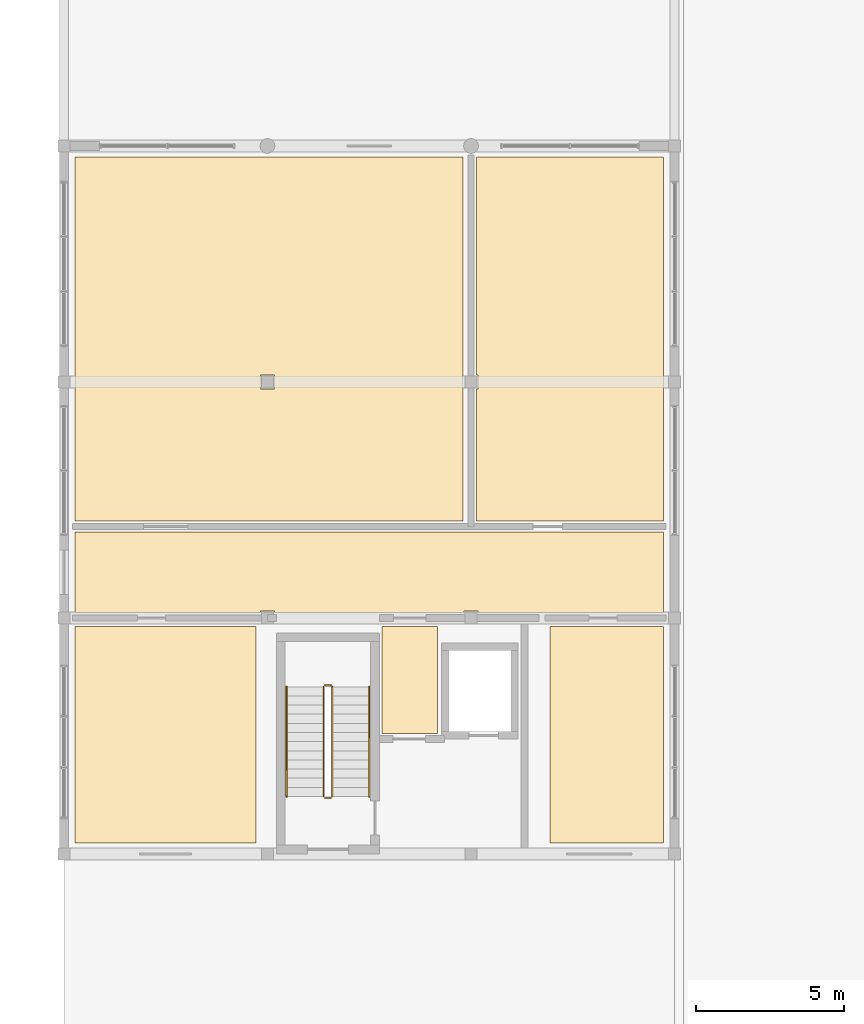
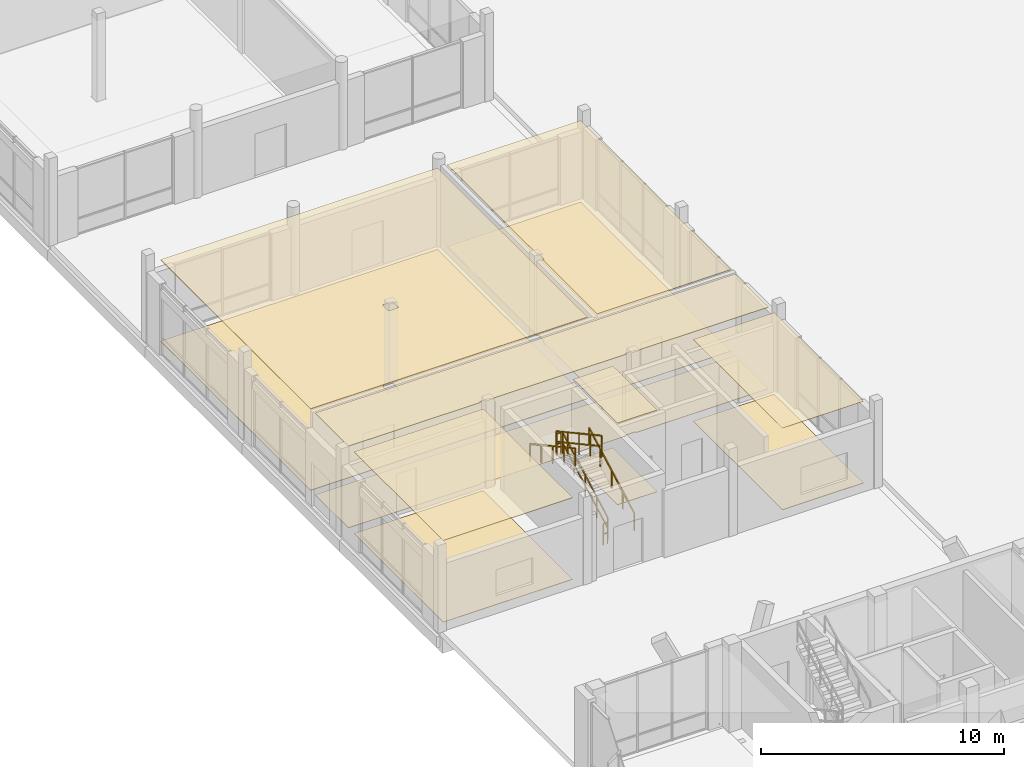
# One storey, part 212 of 233: 12 coverings, 6 railings.
"""IFC4 building model written with IfcOpenShell, lengths in metres."""

from ifc_helpers import new_model, si_unit, direction, frame, origin, origin_2d, place, context, subcontext, project, spatial, polyline, rectangle, outline, extrude, material, layer, layer_set, type_object, element, save


model = new_model("IFC4")

# Units and contexts
model_context = context("Model", 3, precision=1e-05, world=origin(), true_north=direction((0.0, 1.0)))
body_context = subcontext(model_context, "Body", "Model", "MODEL_VIEW")
ifc_project = project(units=[si_unit("LENGTHUNIT", "METRE"), si_unit("AREAUNIT", "SQUARE_METRE"), si_unit("VOLUMEUNIT", "CUBIC_METRE"), si_unit("PLANEANGLEUNIT", "RADIAN"), si_unit("MASSUNIT", "GRAM", prefix="KILO")], contexts=[model_context])

# Site, building, storey
site_placement = place(None, origin())
site = spatial("IfcSite", under=ifc_project, at=site_placement, CompositionType="ELEMENT")
building_placement = place(site_placement, origin())
building = spatial("IfcBuilding", under=site, at=building_placement, Name="Zavelmont Quarter", CompositionType="ELEMENT")
storey_placement = place(building_placement, origin())
storey = spatial("IfcBuildingStorey", under=building, at=storey_placement, Name="L00", CompositionType="ELEMENT", Elevation=0.0)

# Coverings
ifc_material_1 = material(Name="Perforated acoustic gypsum board")
ifc_layer_1 = layer(ifc_material_1, 0.02490234375)
ifc_layer_set_1 = layer_set([ifc_layer_1], Name="Perforated acoustic gypsum board")
covering_type_1 = type_object("IfcCoveringType", Name="CV-CL01", PredefinedType="CEILING", material=ifc_layer_set_1)
covering_1_placement = place(storey_placement, frame((0.0, 0.0, 4.094970703125)))
element("IfcCovering", 1, at=covering_1_placement, inside=storey, type_object=covering_type_1, Name="L00 Lobby Vestibule acoustic ceiling", PredefinedType="CEILING", context=body_context, shape_type="SweptSolid", body=[
    extrude(outline(polyline([(10.780029296875, 37.719970703125), (12.669921875, 37.719970703125), (12.669921875, 34.080078125), (10.780029296875, 34.080078125), (10.780029296875, 37.719970703125)])), origin(), (0.0, 0.0, 1.0), 0.025146484375),
])
covering_2_placement = place(storey_placement, frame((0.0, 0.0, 4.094970703125)))
element("IfcCovering", 2, at=covering_2_placement, inside=storey, type_object=covering_type_1, Name="L00 Shops Lobby Corridor acoustic ceiling", PredefinedType="CEILING", context=body_context, shape_type="SweptSolid", body=[
    extrude(outline(polyline([(0.3798828125, 40.919921875), (20.320068359375, 40.919921875), (20.320068359375, 38.179931640625), (14.0400390625, 38.179931640625), (14.0400390625, 38.239990234375), (13.56005859375, 38.239990234375), (13.56005859375, 38.179931640625), (7.139892578125, 38.179931640625), (7.139892578125, 38.239990234375), (6.659912109375, 38.239990234375), (6.659912109375, 38.179931640625), (0.3798828125, 38.179931640625), (0.3798828125, 40.919921875)])), origin(), (0.0, 0.0, 1.0), 0.025146484375),
])
covering_3_placement = place(storey_placement, frame((0.0, 0.0, 4.094970703125)))
element("IfcCovering", 3, at=covering_3_placement, inside=storey, type_object=covering_type_1, Name="L00 Neighbourhood Pharmacy acoustic ceiling", PredefinedType="CEILING", context=body_context, shape_type="SweptSolid", body=[
    extrude(outline(polyline([(13.97998046875, 45.760009765625), (14.0400390625, 45.760009765625), (14.0400390625, 46.239990234375), (13.97998046875, 46.239990234375), (13.97998046875, 53.6201171875), (20.320068359375, 53.6201171875), (20.320068359375, 41.280029296875), (13.97998046875, 41.280029296875), (13.97998046875, 45.760009765625)])), origin(), (0.0, 0.0, 1.0), 0.025146484375),
])
covering_4_placement = place(storey_placement, frame((0.0, 0.0, 4.094970703125)))
element("IfcCovering", 4, at=covering_4_placement, inside=storey, type_object=covering_type_1, Name="L00 Bakery Shop acoustic ceiling", PredefinedType="CEILING", context=body_context, shape_type="SweptSolid", body=[
    extrude(outline(polyline([(0.3798828125, 37.719970703125), (6.52001953125, 37.719970703125), (6.52001953125, 30.3798828125), (0.3798828125, 30.3798828125), (0.3798828125, 37.719970703125)])), origin(), (0.0, 0.0, 1.0), 0.025146484375),
])
ifc_material_2 = material(Name="Slatted European ash acoustic baffle ceiling")
ifc_layer_2 = layer(ifc_material_2, 0.0400390625)
ifc_layer_set_2 = layer_set([ifc_layer_2], Name="Slatted European ash acoustic baffle ceiling")
covering_type_2 = type_object("IfcCoveringType", Name="CV-CL02", PredefinedType="CEILING", material=ifc_layer_set_2)
covering_5_placement = place(storey_placement, frame((0.0, 0.0, 4.080078125)))
element("IfcCovering", 5, at=covering_5_placement, inside=storey, type_object=covering_type_2, Name="L00 Cooperative Grocery Market acoustic ceiling", PredefinedType="CEILING", context=body_context, shape_type="SweptSolid", body=[
    extrude(outline(polyline([(0.3798828125, 53.6201171875), (13.52001953125, 53.6201171875), (13.52001953125, 41.280029296875), (0.3798828125, 41.280029296875), (0.3798828125, 53.6201171875)]), holes=[polyline([(7.139892578125, 46.239990234375), (6.659912109375, 46.239990234375), (6.659912109375, 45.760009765625), (7.139892578125, 45.760009765625), (7.139892578125, 46.239990234375)])]), origin(), (0.0, 0.0, 1.0), 0.0400390625),
])
ifc_material_3 = material(Name="Moisture-resistant painted gypsum ceiling")
ifc_layer_3 = layer(ifc_material_3, 0.02001953125)
ifc_layer_set_3 = layer_set([ifc_layer_3], Name="Moisture-resistant painted gypsum ceiling")
covering_type_3 = type_object("IfcCoveringType", Name="CV-CL04", PredefinedType="CEILING", material=ifc_layer_set_3)
covering_6_placement = place(storey_placement, frame((0.0, 0.0, 4.10009765625)))
element("IfcCovering", 6, at=covering_6_placement, inside=storey, type_object=covering_type_3, Name="L00 Shops Accessible Toilet acoustic ceiling", PredefinedType="CEILING", context=body_context, shape_type="SweptSolid", body=[
    extrude(outline(polyline([(16.47998046875, 37.719970703125), (20.320068359375, 37.719970703125), (20.320068359375, 30.3798828125), (16.47998046875, 30.3798828125), (16.47998046875, 37.719970703125)])), origin(), (0.0, 0.0, 1.0), 0.02001953125),
])
ifc_material_4 = material(Name="Engineered European oak parquet")
ifc_layer_4 = layer(ifc_material_4, 0.02197265625)
ifc_layer_set_4 = layer_set([ifc_layer_4], Name="Engineered European oak parquet")
covering_type_4 = type_object("IfcCoveringType", Name="CV-FL01", PredefinedType="FLOORING", material=ifc_layer_set_4)
covering_7_placement = place(storey_placement, origin())
element("IfcCovering", 7, at=covering_7_placement, inside=storey, type_object=covering_type_4, Name="L00 Lobby Vestibule floor finish", PredefinedType="FLOORING", context=body_context, shape_type="SweptSolid", body=[
    extrude(outline(polyline([(10.780029296875, 37.719970703125), (12.669921875, 37.719970703125), (12.669921875, 34.080078125), (10.780029296875, 34.080078125), (10.780029296875, 37.719970703125)])), origin(), (0.0, 0.0, 1.0), 0.02197265625),
])
covering_8_placement = place(storey_placement, origin())
element("IfcCovering", 8, at=covering_8_placement, inside=storey, type_object=covering_type_4, Name="L00 Shops Lobby Corridor floor finish", PredefinedType="FLOORING", context=body_context, shape_type="SweptSolid", body=[
    extrude(outline(polyline([(0.3798828125, 40.919921875), (20.320068359375, 40.919921875), (20.320068359375, 38.179931640625), (14.0400390625, 38.179931640625), (14.0400390625, 38.239990234375), (13.56005859375, 38.239990234375), (13.56005859375, 38.179931640625), (7.139892578125, 38.179931640625), (7.139892578125, 38.239990234375), (6.659912109375, 38.239990234375), (6.659912109375, 38.179931640625), (0.3798828125, 38.179931640625), (0.3798828125, 40.919921875)])), origin(), (0.0, 0.0, 1.0), 0.02197265625),
])
covering_9_placement = place(storey_placement, origin())
element("IfcCovering", 9, at=covering_9_placement, inside=storey, type_object=covering_type_4, Name="L00 Neighbourhood Pharmacy floor finish", PredefinedType="FLOORING", context=body_context, shape_type="SweptSolid", body=[
    extrude(outline(polyline([(13.97998046875, 45.760009765625), (14.0400390625, 45.760009765625), (14.0400390625, 46.239990234375), (13.97998046875, 46.239990234375), (13.97998046875, 53.6201171875), (20.320068359375, 53.6201171875), (20.320068359375, 41.280029296875), (13.97998046875, 41.280029296875), (13.97998046875, 45.760009765625)])), origin(), (0.0, 0.0, 1.0), 0.02197265625),
])
covering_10_placement = place(storey_placement, origin())
element("IfcCovering", 10, at=covering_10_placement, inside=storey, type_object=covering_type_4, Name="L00 Bakery Shop floor finish", PredefinedType="FLOORING", context=body_context, shape_type="SweptSolid", body=[
    extrude(outline(polyline([(0.3798828125, 37.719970703125), (6.52001953125, 37.719970703125), (6.52001953125, 30.3798828125), (0.3798828125, 30.3798828125), (0.3798828125, 37.719970703125)])), origin(), (0.0, 0.0, 1.0), 0.02197265625),
])
ifc_material_5 = material(Name="Honed Belgian bluestone tile", Category="masonry")
ifc_layer_5 = layer(ifc_material_5, 0.030029296875)
ifc_layer_set_5 = layer_set([ifc_layer_5], Name="Honed Belgian bluestone tile")
covering_type_5 = type_object("IfcCoveringType", Name="CV-FL02", PredefinedType="FLOORING", material=ifc_layer_set_5)
covering_11_placement = place(storey_placement, origin())
element("IfcCovering", 11, at=covering_11_placement, inside=storey, type_object=covering_type_5, Name="L00 Cooperative Grocery Market floor finish", PredefinedType="FLOORING", context=body_context, shape_type="SweptSolid", body=[
    extrude(outline(polyline([(0.3798828125, 53.6201171875), (13.52001953125, 53.6201171875), (13.52001953125, 41.280029296875), (0.3798828125, 41.280029296875), (0.3798828125, 53.6201171875)]), holes=[polyline([(7.139892578125, 46.239990234375), (6.659912109375, 46.239990234375), (6.659912109375, 45.760009765625), (7.139892578125, 45.760009765625), (7.139892578125, 46.239990234375)])]), origin(), (0.0, 0.0, 1.0), 0.030029296875),
])
ifc_material_6 = material(Name="Slip-resistant porcelain tile")
ifc_layer_6 = layer(ifc_material_6, 0.02587890625)
ifc_layer_set_6 = layer_set([ifc_layer_6], Name="Slip-resistant porcelain tile")
covering_type_6 = type_object("IfcCoveringType", Name="CV-FL04", PredefinedType="FLOORING", material=ifc_layer_set_6)
covering_12_placement = place(storey_placement, origin())
element("IfcCovering", 12, at=covering_12_placement, inside=storey, type_object=covering_type_6, Name="L00 Shops Accessible Toilet floor finish", PredefinedType="FLOORING", context=body_context, shape_type="SweptSolid", body=[
    extrude(outline(polyline([(16.47998046875, 37.719970703125), (20.320068359375, 37.719970703125), (20.320068359375, 30.3798828125), (16.47998046875, 30.3798828125), (16.47998046875, 37.719970703125)])), origin(), (0.0, 0.0, 1.0), 0.02587890625),
])

# Railings
ifc_material_7 = material(Name="Powder-coated steel stair guardrail", Category="steel")
railing_type_1 = type_object("IfcRailingType", Name="RL-GRD1", PredefinedType="GUARDRAIL", material=ifc_material_7)
railing_1_placement = place(storey_placement, frame((9.10009765625, 31.949951171875, 0.169189453125)))
element("IfcRailing", 13, at=railing_1_placement, inside=storey, type_object=railing_type_1, Name="L00 ST13 stair guardrail 1", PredefinedType="GUARDRAIL", context=body_context, shape_type="SweptSolid", body=[
    extrude(rectangle(XDim=0.048095703125, YDim=0.048095703125, at=origin_2d()), frame((0.0, 0.0, 1.076171875), z_axis=(0.0, 0.877728207833, 0.479158839191), x_axis=(-1.0, 0.0, 0.0)), (0.0, 0.0, 1.0), 4.23828125),
    extrude(rectangle(XDim=0.048095703125, YDim=0.048095703125, at=origin_2d()), frame((0.0, 0.0, 0.550048828125), z_axis=(0.0, 0.877728207833, 0.479158839191), x_axis=(-1.0, 0.0, 0.0)), (0.0, 0.0, 1.0), 4.23828125),
    extrude(rectangle(XDim=0.0419921875, YDim=0.0419921875, at=origin_2d()), origin(), (0.0, 0.0, 1.0), 1.052001953125),
    extrude(rectangle(XDim=0.0419921875, YDim=0.0419921875, at=origin_2d()), frame((0.0, 0.929931640625, 0.5078125)), (0.0, 0.0, 1.0), 1.052001953125),
    extrude(rectangle(XDim=0.0419921875, YDim=0.0419921875, at=origin_2d()), frame((0.0, 1.85986328125, 1.015380859375)), (0.0, 0.0, 1.0), 1.052001953125),
    extrude(rectangle(XDim=0.0419921875, YDim=0.0419921875, at=origin_2d()), frame((0.0, 2.7900390625, 1.52294921875)), (0.0, 0.0, 1.0), 1.052001953125),
    extrude(rectangle(XDim=0.0419921875, YDim=0.0419921875, at=origin_2d()), frame((0.0, 3.719970703125, 2.03076171875)), (0.0, 0.0, 1.0), 1.052001953125),
])
railing_2_placement = place(storey_placement, frame((9.050048828125, 35.719970703125, 2.199951171875)))
element("IfcRailing", 14, at=railing_2_placement, inside=storey, type_object=railing_type_1, Name="L00 ST13 stair guardrail 2", PredefinedType="GUARDRAIL", context=body_context, shape_type="SweptSolid", body=[
    extrude(rectangle(XDim=0.048095703125, YDim=0.048095703125, at=origin_2d()), frame((0.0, 0.0, 1.076171875), z_axis=(-1.0, 0.0, 0.0), x_axis=(0.0, -1.0, 0.0)), (0.0, 0.0, 1.0), 0.199951171875),
    extrude(rectangle(XDim=0.048095703125, YDim=0.048095703125, at=origin_2d()), frame((0.0, 0.0, 0.550048828125), z_axis=(-1.0, 0.0, 0.0), x_axis=(0.0, -1.0, 0.0)), (0.0, 0.0, 1.0), 0.199951171875),
    extrude(rectangle(XDim=0.0419921875, YDim=0.0419921875, at=origin_2d()), origin(), (0.0, 0.0, 1.0), 1.052001953125),
    extrude(rectangle(XDim=0.0419921875, YDim=0.0419921875, at=origin_2d()), frame((-0.199951171875, 0.0, 0.0)), (0.0, 0.0, 1.0), 1.052001953125),
])
railing_3_placement = place(storey_placement, frame((8.800048828125, 35.669921875, 2.369140625)))
element("IfcRailing", 15, at=railing_3_placement, inside=storey, type_object=railing_type_1, Name="L00 ST13 stair guardrail 3", PredefinedType="GUARDRAIL", context=body_context, shape_type="SweptSolid", body=[
    extrude(rectangle(XDim=0.048095703125, YDim=0.048095703125, at=origin_2d()), frame((0.0, 0.0, 1.076171875), z_axis=(0.0, -0.877728207833, 0.479158839191), x_axis=(1.0, 0.0, 0.0)), (0.0, 0.0, 1.0), 4.23828125),
    extrude(rectangle(XDim=0.048095703125, YDim=0.048095703125, at=origin_2d()), frame((0.0, 0.0, 0.550048828125), z_axis=(0.0, -0.877728207833, 0.479158839191), x_axis=(1.0, 0.0, 0.0)), (0.0, 0.0, 1.0), 4.23828125),
    extrude(rectangle(XDim=0.0419921875, YDim=0.0419921875, at=origin_2d()), origin(), (0.0, 0.0, 1.0), 1.052001953125),
    extrude(rectangle(XDim=0.0419921875, YDim=0.0419921875, at=origin_2d()), frame((0.0, -0.929931640625, 0.5078125)), (0.0, 0.0, 1.0), 1.052001953125),
    extrude(rectangle(XDim=0.0419921875, YDim=0.0419921875, at=origin_2d()), frame((0.0, -1.85986328125, 1.015380859375)), (0.0, 0.0, 1.0), 1.052001953125),
    extrude(rectangle(XDim=0.0419921875, YDim=0.0419921875, at=origin_2d()), frame((0.0, -2.7900390625, 1.52294921875)), (0.0, 0.0, 1.0), 1.052001953125),
    extrude(rectangle(XDim=0.0419921875, YDim=0.0419921875, at=origin_2d()), frame((0.0, -3.719970703125, 2.03076171875)), (0.0, 0.0, 1.0), 1.052001953125),
])
railing_4_placement = place(storey_placement, frame((9.050048828125, 31.89990234375, 0.0)))
element("IfcRailing", 16, at=railing_4_placement, inside=storey, type_object=railing_type_1, Name="L00 ST13 stair guardrail 4", PredefinedType="GUARDRAIL", context=body_context, shape_type="SweptSolid", body=[
    extrude(rectangle(XDim=0.048095703125, YDim=0.048095703125, at=origin_2d()), frame((0.0, 0.0, 1.076171875), z_axis=(-1.0, 0.0, 0.0), x_axis=(0.0, -1.0, 0.0)), (0.0, 0.0, 1.0), 0.199951171875),
    extrude(rectangle(XDim=0.048095703125, YDim=0.048095703125, at=origin_2d()), frame((0.0, 0.0, 0.550048828125), z_axis=(-1.0, 0.0, 0.0), x_axis=(0.0, -1.0, 0.0)), (0.0, 0.0, 1.0), 0.199951171875),
    extrude(rectangle(XDim=0.0419921875, YDim=0.0419921875, at=origin_2d()), origin(), (0.0, 0.0, 1.0), 1.052001953125),
    extrude(rectangle(XDim=0.0419921875, YDim=0.0419921875, at=origin_2d()), frame((-0.199951171875, 0.0, 0.0)), (0.0, 0.0, 1.0), 1.052001953125),
])
ifc_material_8 = material(Name="Brushed stainless-steel wall handrail", Category="steel")
railing_type_2 = type_object("IfcRailingType", Name="RL-HND1", PredefinedType="HANDRAIL", material=ifc_material_8)
railing_5_placement = place(storey_placement, frame((10.35009765625, 31.949951171875, 0.169189453125)))
element("IfcRailing", 17, at=railing_5_placement, inside=storey, type_object=railing_type_2, Name="L00 ST13 stair handrail 1", PredefinedType="HANDRAIL", context=body_context, shape_type="SweptSolid", body=[
    extrude(rectangle(XDim=0.048095703125, YDim=0.048095703125, at=origin_2d()), frame((0.0, 0.0, 0.8759765625), z_axis=(0.0, 0.877728207833, 0.479158839191), x_axis=(-1.0, 0.0, 0.0)), (0.0, 0.0, 1.0), 4.23828125),
    extrude(rectangle(XDim=0.0419921875, YDim=0.0419921875, at=origin_2d()), origin(), (0.0, 0.0, 1.0), 0.851806640625),
    extrude(rectangle(XDim=0.0419921875, YDim=0.0419921875, at=origin_2d()), frame((0.0, 0.929931640625, 0.5078125)), (0.0, 0.0, 1.0), 0.851806640625),
    extrude(rectangle(XDim=0.0419921875, YDim=0.0419921875, at=origin_2d()), frame((0.0, 1.85986328125, 1.015380859375)), (0.0, 0.0, 1.0), 0.851806640625),
    extrude(rectangle(XDim=0.0419921875, YDim=0.0419921875, at=origin_2d()), frame((0.0, 2.7900390625, 1.52294921875)), (0.0, 0.0, 1.0), 0.851806640625),
    extrude(rectangle(XDim=0.0419921875, YDim=0.0419921875, at=origin_2d()), frame((0.0, 3.719970703125, 2.03076171875)), (0.0, 0.0, 1.0), 0.851806640625),
])
railing_6_placement = place(storey_placement, frame((7.550048828125, 35.669921875, 2.369140625)))
element("IfcRailing", 18, at=railing_6_placement, inside=storey, type_object=railing_type_2, Name="L00 ST13 stair handrail 2", PredefinedType="HANDRAIL", context=body_context, shape_type="SweptSolid", body=[
    extrude(rectangle(XDim=0.048095703125, YDim=0.048095703125, at=origin_2d()), frame((0.0, 0.0, 0.8759765625), z_axis=(0.0, -0.877728207833, 0.479158839191), x_axis=(1.0, 0.0, 0.0)), (0.0, 0.0, 1.0), 4.23828125),
    extrude(rectangle(XDim=0.0419921875, YDim=0.0419921875, at=origin_2d()), origin(), (0.0, 0.0, 1.0), 0.851806640625),
    extrude(rectangle(XDim=0.0419921875, YDim=0.0419921875, at=origin_2d()), frame((0.0, -0.929931640625, 0.5078125)), (0.0, 0.0, 1.0), 0.851806640625),
    extrude(rectangle(XDim=0.0419921875, YDim=0.0419921875, at=origin_2d()), frame((0.0, -1.85986328125, 1.015380859375)), (0.0, 0.0, 1.0), 0.851806640625),
    extrude(rectangle(XDim=0.0419921875, YDim=0.0419921875, at=origin_2d()), frame((0.0, -2.7900390625, 1.52294921875)), (0.0, 0.0, 1.0), 0.851806640625),
    extrude(rectangle(XDim=0.0419921875, YDim=0.0419921875, at=origin_2d()), frame((0.0, -3.719970703125, 2.03076171875)), (0.0, 0.0, 1.0), 0.851806640625),
])

save(model, "model.ifc")
